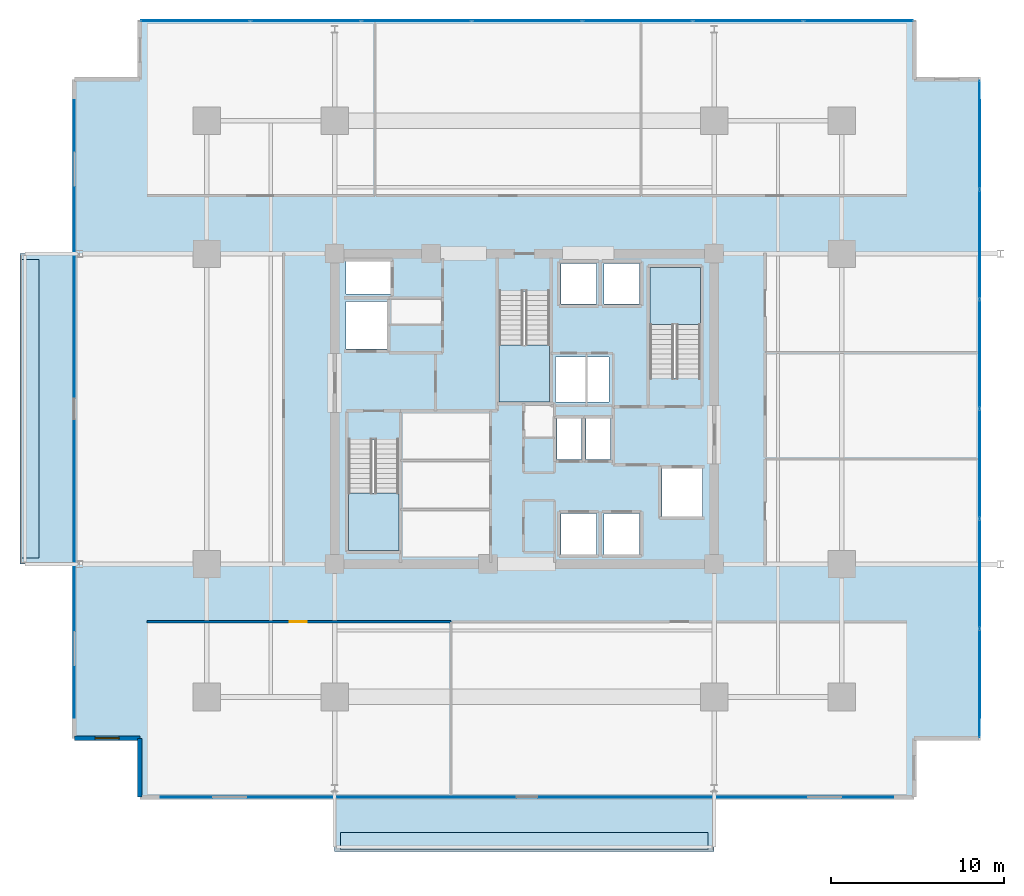
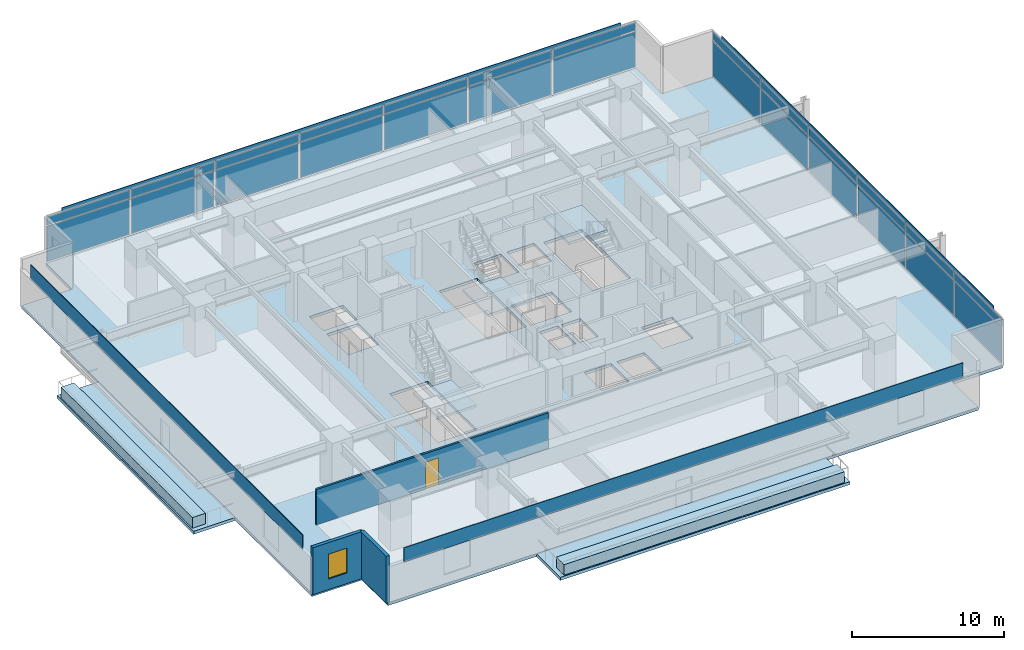
# One storey, part 13 of 23: 30 plates, 8 slabs, 3 walls, 1 door, 1 window, 2 openings, 5 elements without a shape of their own.
"""IFC4 building model written with IfcOpenShell, lengths in metres."""

from ifc_helpers import new_model, si_unit, direction, frame, frame_2d, origin, origin_2d, place, context, subcontext, project, spatial, polyline, rectangle, outline, extrude, material, layer, layer_set, type_object, element, fill, aggregate, save


model = new_model("IFC4")

# Units and contexts
model_context = context("Model", 3, precision=1e-05, world=origin(), true_north=direction((0.0, 1.0)))
body_context = subcontext(model_context, "Body", "Model", "MODEL_VIEW")
ifc_project = project(units=[si_unit("LENGTHUNIT", "METRE"), si_unit("AREAUNIT", "SQUARE_METRE"), si_unit("VOLUMEUNIT", "CUBIC_METRE"), si_unit("PLANEANGLEUNIT", "RADIAN"), si_unit("MASSUNIT", "GRAM", prefix="KILO")], contexts=[model_context])

# Site, building, storey
site_placement = place(None, origin())
site = spatial("IfcSite", under=ifc_project, at=site_placement, CompositionType="ELEMENT")
building_placement = place(site_placement, origin())
building = spatial("IfcBuilding", under=site, at=building_placement, Name="Kovane Verandah Tower", CompositionType="ELEMENT")
storey_placement = place(building_placement, frame((0.0, 0.0, 136.39990234375)))
storey = spatial("IfcBuildingStorey", under=building, at=storey_placement, Name="L31", CompositionType="ELEMENT", Elevation=136.39990234375)

# Curtain wall, plates
ifc_material_1 = material(Name="Champagne Anodised Aluminium Frame with Low-E Clear Laminated Glass", Category="aluminium")
curtain_wall_type = type_object("IfcCurtainWallType", Name="CW-SYS-03-MID", PredefinedType="NOTDEFINED", material=ifc_material_1)
curtain_wall_1_placement = place(storey_placement, origin())
curtain_wall_1 = element("IfcCurtainWall", 1, at=curtain_wall_1_placement, inside=storey, type_object=curtain_wall_type, Name="L31 E Unitised Curtain Wall", PredefinedType="NOTDEFINED")
ifc_material_2 = material(Name="Pale Champagne Anodised Aluminium Insulated Spandrel", Category="aluminium")
ifc_layer_1 = layer(ifc_material_2, 0.0400390625)
ifc_layer_set_1 = layer_set([ifc_layer_1], Name="Pale Champagne Anodised Aluminium Insulated Spandrel")
plate_type_1 = type_object("IfcPlateType", Name="PL-CW-SPD-40", PredefinedType="SHEET", material=ifc_layer_set_1)
plate_1_placement = place(storey_placement, frame((66.3896484375, 11.5830078125, 3.044921875), z_axis=(0.0, 0.0, 1.0), x_axis=(0.0, 1.0, 0.0)))
plate_1 = element("IfcPlate", 2, at=plate_1_placement, type_object=plate_type_1, Name="L31 E Unitised Curtain Wall Spandrel Panel 1", PredefinedType="SHEET", context=body_context, shape_type="SweptSolid", body=[
    extrude(rectangle(XDim=6.226806640625, YDim=0.0400390625, at=origin_2d()), origin(), (0.0, 0.0, 1.0), 0.639892578125),
])
plate_2_placement = place(storey_placement, frame((66.3896484375, 17.94970703125, 3.044921875), z_axis=(0.0, 0.0, 1.0), x_axis=(0.0, 1.0, 0.0)))
plate_2 = element("IfcPlate", 3, at=plate_2_placement, type_object=plate_type_1, Name="L31 E Unitised Curtain Wall Spandrel Panel 2", PredefinedType="SHEET", context=body_context, shape_type="SweptSolid", body=[
    extrude(rectangle(XDim=6.226806640625, YDim=0.0400390625, at=origin_2d()), origin(), (0.0, 0.0, 1.0), 0.639892578125),
])
plate_3_placement = place(storey_placement, frame((66.3896484375, 24.316650390625, 3.044921875), z_axis=(0.0, 0.0, 1.0), x_axis=(0.0, 1.0, 0.0)))
plate_3 = element("IfcPlate", 4, at=plate_3_placement, type_object=plate_type_1, Name="L31 E Unitised Curtain Wall Spandrel Panel 3", PredefinedType="SHEET", context=body_context, shape_type="SweptSolid", body=[
    extrude(rectangle(XDim=6.226806640625, YDim=0.0400390625, at=origin_2d()), origin(), (0.0, 0.0, 1.0), 0.639892578125),
])
plate_4_placement = place(storey_placement, frame((66.3896484375, 30.683349609375, 3.044921875), z_axis=(0.0, 0.0, 1.0), x_axis=(0.0, 1.0, 0.0)))
plate_4 = element("IfcPlate", 5, at=plate_4_placement, type_object=plate_type_1, Name="L31 E Unitised Curtain Wall Spandrel Panel 4", PredefinedType="SHEET", context=body_context, shape_type="SweptSolid", body=[
    extrude(rectangle(XDim=6.226806640625, YDim=0.0400390625, at=origin_2d()), origin(), (0.0, 0.0, 1.0), 0.639892578125),
])
plate_5_placement = place(storey_placement, frame((66.3896484375, 37.05029296875, 3.044921875), z_axis=(0.0, 0.0, 1.0), x_axis=(0.0, 1.0, 0.0)))
plate_5 = element("IfcPlate", 6, at=plate_5_placement, type_object=plate_type_1, Name="L31 E Unitised Curtain Wall Spandrel Panel 5", PredefinedType="SHEET", context=body_context, shape_type="SweptSolid", body=[
    extrude(rectangle(XDim=6.226806640625, YDim=0.0400390625, at=origin_2d()), origin(), (0.0, 0.0, 1.0), 0.639892578125),
])
plate_6_placement = place(storey_placement, frame((66.3896484375, 43.4169921875, 3.044921875), z_axis=(0.0, 0.0, 1.0), x_axis=(0.0, 1.0, 0.0)))
plate_6 = element("IfcPlate", 7, at=plate_6_placement, type_object=plate_type_1, Name="L31 E Unitised Curtain Wall Spandrel Panel 6", PredefinedType="SHEET", context=body_context, shape_type="SweptSolid", body=[
    extrude(rectangle(XDim=6.226806640625, YDim=0.0400390625, at=origin_2d()), origin(), (0.0, 0.0, 1.0), 0.639892578125),
])

curtain_wall_2_placement = place(storey_placement, origin())
curtain_wall_2 = element("IfcCurtainWall", 8, at=curtain_wall_2_placement, inside=storey, type_object=curtain_wall_type, Name="L31 N Unitised Curtain Wall", PredefinedType="NOTDEFINED")
plate_7_placement = place(storey_placement, frame((59.38427734375, 50.00048828125, 3.044921875), z_axis=(0.0, 0.0, 1.0), x_axis=(-1.0, 0.0, 0.0)))
plate_7 = element("IfcPlate", 9, at=plate_7_placement, type_object=plate_type_1, Name="L31 N Unitised Curtain Wall Spandrel Panel 1", PredefinedType="SHEET", context=body_context, shape_type="SweptSolid", body=[
    extrude(rectangle(XDim=6.27099609375, YDim=0.0400390625, at=origin_2d()), origin(), (0.0, 0.0, 1.0), 0.639892578125),
])
plate_8_placement = place(storey_placement, frame((52.973388671875, 50.00048828125, 3.044921875), z_axis=(0.0, 0.0, 1.0), x_axis=(-1.0, 0.0, 0.0)))
plate_8 = element("IfcPlate", 10, at=plate_8_placement, type_object=plate_type_1, Name="L31 N Unitised Curtain Wall Spandrel Panel 2", PredefinedType="SHEET", context=body_context, shape_type="SweptSolid", body=[
    extrude(rectangle(XDim=6.27099609375, YDim=0.0400390625, at=origin_2d()), origin(), (0.0, 0.0, 1.0), 0.639892578125),
])
plate_9_placement = place(storey_placement, frame((46.5625, 50.00048828125, 3.044921875), z_axis=(0.0, 0.0, 1.0), x_axis=(-1.0, 0.0, 0.0)))
plate_9 = element("IfcPlate", 11, at=plate_9_placement, type_object=plate_type_1, Name="L31 N Unitised Curtain Wall Spandrel Panel 3", PredefinedType="SHEET", context=body_context, shape_type="SweptSolid", body=[
    extrude(rectangle(XDim=6.27099609375, YDim=0.0400390625, at=origin_2d()), origin(), (0.0, 0.0, 1.0), 0.639892578125),
])
plate_10_placement = place(storey_placement, frame((40.151611328125, 50.00048828125, 3.044921875), z_axis=(0.0, 0.0, 1.0), x_axis=(-1.0, 0.0, 0.0)))
plate_10 = element("IfcPlate", 12, at=plate_10_placement, type_object=plate_type_1, Name="L31 N Unitised Curtain Wall Spandrel Panel 4", PredefinedType="SHEET", context=body_context, shape_type="SweptSolid", body=[
    extrude(rectangle(XDim=6.27099609375, YDim=0.0400390625, at=origin_2d()), origin(), (0.0, 0.0, 1.0), 0.639892578125),
])
plate_11_placement = place(storey_placement, frame((33.74072265625, 50.00048828125, 3.044921875), z_axis=(0.0, 0.0, 1.0), x_axis=(-1.0, 0.0, 0.0)))
plate_11 = element("IfcPlate", 13, at=plate_11_placement, type_object=plate_type_1, Name="L31 N Unitised Curtain Wall Spandrel Panel 5", PredefinedType="SHEET", context=body_context, shape_type="SweptSolid", body=[
    extrude(rectangle(XDim=6.27099609375, YDim=0.0400390625, at=origin_2d()), origin(), (0.0, 0.0, 1.0), 0.639892578125),
])
plate_12_placement = place(storey_placement, frame((27.329833984375, 50.00048828125, 3.044921875), z_axis=(0.0, 0.0, 1.0), x_axis=(-1.0, 0.0, 0.0)))
plate_12 = element("IfcPlate", 14, at=plate_12_placement, type_object=plate_type_1, Name="L31 N Unitised Curtain Wall Spandrel Panel 6", PredefinedType="SHEET", context=body_context, shape_type="SweptSolid", body=[
    extrude(rectangle(XDim=6.27099609375, YDim=0.0400390625, at=origin_2d()), origin(), (0.0, 0.0, 1.0), 0.639892578125),
])
plate_13_placement = place(storey_placement, frame((20.9189453125, 50.00048828125, 3.044921875), z_axis=(0.0, 0.0, 1.0), x_axis=(-1.0, 0.0, 0.0)))
plate_13 = element("IfcPlate", 15, at=plate_13_placement, type_object=plate_type_1, Name="L31 N Unitised Curtain Wall Spandrel Panel 7", PredefinedType="SHEET", context=body_context, shape_type="SweptSolid", body=[
    extrude(rectangle(XDim=6.27099609375, YDim=0.0400390625, at=origin_2d()), origin(), (0.0, 0.0, 1.0), 0.639892578125),
])

# Plate
ifc_material_3 = material(Name="Clear Low-E Laminated Double Glazing", Category="glass")
ifc_layer_2 = layer(ifc_material_3, 0.031982421875)
ifc_layer_set_2 = layer_set([ifc_layer_2], Name="Clear Low-E Laminated Double Glazing")
plate_type_2 = type_object("IfcPlateType", Name="PL-CW-VIS-32", PredefinedType="CURTAIN_PANEL", material=ifc_layer_set_2)
plate_14_placement = place(storey_placement, frame((66.3896484375, 11.5830078125, 0.10009765625), z_axis=(0.0, 0.0, 1.0), x_axis=(0.0, 1.0, 0.0)))
plate_14 = element("IfcPlate", 16, at=plate_14_placement, type_object=plate_type_2, Name="L31 E Unitised Curtain Wall Vision Panel 1", PredefinedType="CURTAIN_PANEL", context=body_context, shape_type="SweptSolid", body=[
    extrude(rectangle(XDim=6.226806640625, YDim=0.031982421875, at=origin_2d()), origin(), (0.0, 0.0, 1.0), 2.844970703125),
])

plate_15_placement = place(storey_placement, frame((66.3896484375, 17.94970703125, 0.10009765625), z_axis=(0.0, 0.0, 1.0), x_axis=(0.0, 1.0, 0.0)))
plate_15 = element("IfcPlate", 17, at=plate_15_placement, type_object=plate_type_2, Name="L31 E Unitised Curtain Wall Vision Panel 2", PredefinedType="CURTAIN_PANEL", context=body_context, shape_type="SweptSolid", body=[
    extrude(rectangle(XDim=6.226806640625, YDim=0.031982421875, at=origin_2d()), origin(), (0.0, 0.0, 1.0), 2.844970703125),
])

plate_16_placement = place(storey_placement, frame((66.3896484375, 24.316650390625, 0.10009765625), z_axis=(0.0, 0.0, 1.0), x_axis=(0.0, 1.0, 0.0)))
plate_16 = element("IfcPlate", 18, at=plate_16_placement, type_object=plate_type_2, Name="L31 E Unitised Curtain Wall Vision Panel 3", PredefinedType="CURTAIN_PANEL", context=body_context, shape_type="SweptSolid", body=[
    extrude(rectangle(XDim=6.226806640625, YDim=0.031982421875, at=origin_2d()), origin(), (0.0, 0.0, 1.0), 2.844970703125),
])

plate_17_placement = place(storey_placement, frame((66.3896484375, 30.683349609375, 0.10009765625), z_axis=(0.0, 0.0, 1.0), x_axis=(0.0, 1.0, 0.0)))
plate_17 = element("IfcPlate", 19, at=plate_17_placement, type_object=plate_type_2, Name="L31 E Unitised Curtain Wall Vision Panel 4", PredefinedType="CURTAIN_PANEL", context=body_context, shape_type="SweptSolid", body=[
    extrude(rectangle(XDim=6.226806640625, YDim=0.031982421875, at=origin_2d()), origin(), (0.0, 0.0, 1.0), 2.844970703125),
])

plate_18_placement = place(storey_placement, frame((66.3896484375, 37.05029296875, 0.10009765625), z_axis=(0.0, 0.0, 1.0), x_axis=(0.0, 1.0, 0.0)))
plate_18 = element("IfcPlate", 20, at=plate_18_placement, type_object=plate_type_2, Name="L31 E Unitised Curtain Wall Vision Panel 5", PredefinedType="CURTAIN_PANEL", context=body_context, shape_type="SweptSolid", body=[
    extrude(rectangle(XDim=6.226806640625, YDim=0.031982421875, at=origin_2d()), origin(), (0.0, 0.0, 1.0), 2.844970703125),
])

plate_19_placement = place(storey_placement, frame((66.3896484375, 43.4169921875, 0.10009765625), z_axis=(0.0, 0.0, 1.0), x_axis=(0.0, 1.0, 0.0)))
plate_19 = element("IfcPlate", 21, at=plate_19_placement, type_object=plate_type_2, Name="L31 E Unitised Curtain Wall Vision Panel 6", PredefinedType="CURTAIN_PANEL", context=body_context, shape_type="SweptSolid", body=[
    extrude(rectangle(XDim=6.226806640625, YDim=0.031982421875, at=origin_2d()), origin(), (0.0, 0.0, 1.0), 2.844970703125),
])

aggregate(curtain_wall_1, [plate_14, plate_1, plate_15, plate_2, plate_16, plate_3, plate_17, plate_4, plate_18, plate_5, plate_19, plate_6])

plate_20_placement = place(storey_placement, frame((59.38427734375, 50.00048828125, 0.10009765625), z_axis=(0.0, 0.0, 1.0), x_axis=(-1.0, 0.0, 0.0)))
plate_20 = element("IfcPlate", 22, at=plate_20_placement, type_object=plate_type_2, Name="L31 N Unitised Curtain Wall Vision Panel 1", PredefinedType="CURTAIN_PANEL", context=body_context, shape_type="SweptSolid", body=[
    extrude(rectangle(XDim=6.27099609375, YDim=0.031982421875, at=origin_2d()), origin(), (0.0, 0.0, 1.0), 2.844970703125),
])

plate_21_placement = place(storey_placement, frame((52.973388671875, 50.00048828125, 0.10009765625), z_axis=(0.0, 0.0, 1.0), x_axis=(-1.0, 0.0, 0.0)))
plate_21 = element("IfcPlate", 23, at=plate_21_placement, type_object=plate_type_2, Name="L31 N Unitised Curtain Wall Vision Panel 2", PredefinedType="CURTAIN_PANEL", context=body_context, shape_type="SweptSolid", body=[
    extrude(rectangle(XDim=6.27099609375, YDim=0.031982421875, at=origin_2d()), origin(), (0.0, 0.0, 1.0), 2.844970703125),
])

plate_22_placement = place(storey_placement, frame((46.5625, 50.00048828125, 0.10009765625), z_axis=(0.0, 0.0, 1.0), x_axis=(-1.0, 0.0, 0.0)))
plate_22 = element("IfcPlate", 24, at=plate_22_placement, type_object=plate_type_2, Name="L31 N Unitised Curtain Wall Vision Panel 3", PredefinedType="CURTAIN_PANEL", context=body_context, shape_type="SweptSolid", body=[
    extrude(rectangle(XDim=6.27099609375, YDim=0.031982421875, at=origin_2d()), origin(), (0.0, 0.0, 1.0), 2.844970703125),
])

plate_23_placement = place(storey_placement, frame((40.151611328125, 50.00048828125, 0.10009765625), z_axis=(0.0, 0.0, 1.0), x_axis=(-1.0, 0.0, 0.0)))
plate_23 = element("IfcPlate", 25, at=plate_23_placement, type_object=plate_type_2, Name="L31 N Unitised Curtain Wall Vision Panel 4", PredefinedType="CURTAIN_PANEL", context=body_context, shape_type="SweptSolid", body=[
    extrude(rectangle(XDim=6.27099609375, YDim=0.031982421875, at=origin_2d()), origin(), (0.0, 0.0, 1.0), 2.844970703125),
])

plate_24_placement = place(storey_placement, frame((33.74072265625, 50.00048828125, 0.10009765625), z_axis=(0.0, 0.0, 1.0), x_axis=(-1.0, 0.0, 0.0)))
plate_24 = element("IfcPlate", 26, at=plate_24_placement, type_object=plate_type_2, Name="L31 N Unitised Curtain Wall Vision Panel 5", PredefinedType="CURTAIN_PANEL", context=body_context, shape_type="SweptSolid", body=[
    extrude(rectangle(XDim=6.27099609375, YDim=0.031982421875, at=origin_2d()), origin(), (0.0, 0.0, 1.0), 2.844970703125),
])

plate_25_placement = place(storey_placement, frame((27.329833984375, 50.00048828125, 0.10009765625), z_axis=(0.0, 0.0, 1.0), x_axis=(-1.0, 0.0, 0.0)))
plate_25 = element("IfcPlate", 27, at=plate_25_placement, type_object=plate_type_2, Name="L31 N Unitised Curtain Wall Vision Panel 6", PredefinedType="CURTAIN_PANEL", context=body_context, shape_type="SweptSolid", body=[
    extrude(rectangle(XDim=6.27099609375, YDim=0.031982421875, at=origin_2d()), origin(), (0.0, 0.0, 1.0), 2.844970703125),
])

plate_26_placement = place(storey_placement, frame((20.9189453125, 50.00048828125, 0.10009765625), z_axis=(0.0, 0.0, 1.0), x_axis=(-1.0, 0.0, 0.0)))
plate_26 = element("IfcPlate", 28, at=plate_26_placement, type_object=plate_type_2, Name="L31 N Unitised Curtain Wall Vision Panel 7", PredefinedType="CURTAIN_PANEL", context=body_context, shape_type="SweptSolid", body=[
    extrude(rectangle(XDim=6.27099609375, YDim=0.031982421875, at=origin_2d()), origin(), (0.0, 0.0, 1.0), 2.844970703125),
])

aggregate(curtain_wall_2, [plate_20, plate_7, plate_21, plate_8, plate_22, plate_9, plate_23, plate_10, plate_24, plate_11, plate_25, plate_12, plate_26, plate_13])

# Plates
ifc_material_4 = material(Name="Perforated Pale Champagne Anodised Aluminium Solar Screen", Category="aluminium")
ifc_layer_3 = layer(ifc_material_4, 0.050048828125)
ifc_layer_set_3 = layer_set([ifc_layer_3], Name="Perforated Pale Champagne Anodised Aluminium Solar Screen")
plate_type_3 = type_object("IfcPlateType", Name="PL-SCREEN-50", PredefinedType="USERDEFINED", material=ifc_layer_set_3)
plate_27_placement = place(storey_placement, frame((40.151611328125, 4.984619140625, 2.875244140625), z_axis=(0.0, 0.0, 1.0), x_axis=(1.0, 0.0, 0.0)))
element("IfcPlate", 29, at=plate_27_placement, inside=storey, type_object=plate_type_3, Name="L31 S Perforated Champagne-Gold Solar Screen", ObjectType="SCREEN", PredefinedType="USERDEFINED", context=body_context, shape_type="SweptSolid", body=[
    extrude(rectangle(XDim=42.47607421875, YDim=0.050048828125, at=origin_2d()), origin(), (0.0, 0.0, 1.0), 1.14990234375),
])
plate_28_placement = place(storey_placement, frame((66.40478515625, 27.5, 2.875244140625), z_axis=(0.0, 0.0, 1.0), x_axis=(0.0, 1.0, 0.0)))
element("IfcPlate", 30, at=plate_28_placement, inside=storey, type_object=plate_type_3, Name="L31 E Perforated Champagne-Gold Solar Screen", ObjectType="SCREEN", PredefinedType="USERDEFINED", context=body_context, shape_type="SweptSolid", body=[
    extrude(rectangle(XDim=35.801025390625, YDim=0.050048828125, at=origin_2d()), origin(), (0.0, 0.0, 1.0), 1.14990234375),
])
plate_29_placement = place(storey_placement, frame((40.151611328125, 50.015380859375, 2.875244140625), z_axis=(0.0, 0.0, 1.0), x_axis=(-1.0, 0.0, 0.0)))
element("IfcPlate", 31, at=plate_29_placement, inside=storey, type_object=plate_type_3, Name="L31 N Perforated Champagne-Gold Solar Screen", ObjectType="SCREEN", PredefinedType="USERDEFINED", context=body_context, shape_type="SweptSolid", body=[
    extrude(rectangle(XDim=42.47607421875, YDim=0.050048828125, at=origin_2d()), origin(), (0.0, 0.0, 1.0), 1.14990234375),
])
plate_30_placement = place(storey_placement, frame((13.898681640625, 27.5, 2.875244140625), z_axis=(0.0, 0.0, 1.0), x_axis=(0.0, -1.0, 0.0)))
element("IfcPlate", 32, at=plate_30_placement, inside=storey, type_object=plate_type_3, Name="L31 W Perforated Champagne-Gold Solar Screen", ObjectType="SCREEN", PredefinedType="USERDEFINED", context=body_context, shape_type="SweptSolid", body=[
    extrude(rectangle(XDim=35.801025390625, YDim=0.050048828125, at=origin_2d()), origin(), (0.0, 0.0, 1.0), 1.14990234375),
])

# Slabs
ifc_material_5 = material(Name="Concrete C45/55", Category="concrete")
ifc_layer_4 = layer(ifc_material_5, 0.239990234375)
ifc_layer_set_4 = layer_set([ifc_layer_4], Name="Concrete C45/55")
slab_type_1 = type_object("IfcSlabType", Name="SL-BALC-240", PredefinedType="FLOOR", material=ifc_layer_set_4)
slab_1_placement = place(storey_placement, frame((0.0, 0.0, -0.239990234375)))
element("IfcSlab", 33, at=slab_1_placement, inside=storey, type_object=slab_type_1, Name="L31 S Planted Verandah Balcony Slab", PredefinedType="FLOOR", context=body_context, shape_type="SweptSolid", body=[
    extrude(outline(polyline([(29.0, 1.849609375), (51.0, 1.849609375), (51.0, 4.99951171875), (29.0, 4.99951171875), (29.0, 1.849609375)])), origin(), (0.0, 0.0, 1.0), 0.239990234375),
])
slab_2_placement = place(storey_placement, frame((0.0, 0.0, -0.239990234375)))
element("IfcSlab", 34, at=slab_2_placement, inside=storey, type_object=slab_type_1, Name="L31 W Planted Verandah Balcony Slab", PredefinedType="FLOOR", context=body_context, shape_type="SweptSolid", body=[
    extrude(outline(polyline([(10.763671875, 18.5), (13.91357421875, 18.5), (13.91357421875, 36.5), (10.763671875, 36.5), (10.763671875, 18.5)])), origin(), (0.0, 0.0, 1.0), 0.239990234375),
])

# Stair, slab
stair_type = type_object("IfcStairType", Name="ST-CORE-1380", PredefinedType="HALF_TURN_STAIR", material=ifc_material_5)
stair_1_placement = place(storey_placement, origin())
stair_1 = element("IfcStair", 35, at=stair_1_placement, inside=storey, type_object=stair_type, Name="L31 Exit Stair ST-01", PredefinedType="HALF_TURN_STAIR")
ifc_layer_5 = layer(ifc_material_5, 0.199951171875)
ifc_layer_set_5 = layer_set([ifc_layer_5], Name="Concrete C45/55")
slab_type_2 = type_object("IfcSlabType", Name="SL-LAND-200", PredefinedType="LANDING", material=ifc_layer_set_5)
slab_3_placement = place(storey_placement, frame((0.0, 0.0, 1.800048828125)))
slab_3 = element("IfcSlab", 36, at=slab_3_placement, type_object=slab_type_2, Name="ST-01 landing 1", PredefinedType="LANDING", context=body_context, shape_type="SweptSolid", body=[
    extrude(outline(polyline([(29.800048828125, 22.614990234375), (29.800048828125, 19.300048828125), (32.719970703125, 19.300048828125), (32.719970703125, 22.614990234375), (29.800048828125, 22.614990234375)])), origin(), (0.0, 0.0, 1.0), 0.199951171875),
])
aggregate(stair_1, [slab_3])

stair_2_placement = place(storey_placement, origin())
stair_2 = element("IfcStair", 37, at=stair_2_placement, inside=storey, type_object=stair_type, Name="L31 Exit Stair ST-02", PredefinedType="HALF_TURN_STAIR")
slab_4_placement = place(storey_placement, frame((0.0, 0.0, 1.800048828125)))
slab_4 = element("IfcSlab", 38, at=slab_4_placement, type_object=slab_type_2, Name="ST-02 landing 1", PredefinedType="LANDING", context=body_context, shape_type="SweptSolid", body=[
    extrude(outline(polyline([(50.199951171875, 32.385009765625), (50.199951171875, 35.699951171875), (47.280029296875, 35.699951171875), (47.280029296875, 32.385009765625), (50.199951171875, 32.385009765625)])), origin(), (0.0, 0.0, 1.0), 0.199951171875),
])
aggregate(stair_2, [slab_4])

stair_3_placement = place(storey_placement, origin())
stair_3 = element("IfcStair", 39, at=stair_3_placement, inside=storey, type_object=stair_type, Name="L31 Exit Stair ST-03", PredefinedType="HALF_TURN_STAIR")
slab_5_placement = place(storey_placement, frame((0.0, 0.0, 1.800048828125)))
slab_5 = element("IfcSlab", 40, at=slab_5_placement, type_object=slab_type_2, Name="ST-03 landing 1", PredefinedType="LANDING", context=body_context, shape_type="SweptSolid", body=[
    extrude(outline(polyline([(38.5400390625, 31.215087890625), (38.5400390625, 27.89990234375), (41.4599609375, 27.89990234375), (41.4599609375, 31.215087890625), (38.5400390625, 31.215087890625)])), origin(), (0.0, 0.0, 1.0), 0.199951171875),
])
aggregate(stair_3, [slab_5])

# Slabs
ifc_layer_6 = layer(ifc_material_5, 0.22509765625)
ifc_layer_set_6 = layer_set([ifc_layer_6], Name="Concrete C45/55")
slab_type_3 = type_object("IfcSlabType", Name="SL-MID-225", PredefinedType="FLOOR", material=ifc_layer_set_6)
slab_6_placement = place(storey_placement, frame((0.0, 0.0, -0.224853515625)))
element("IfcSlab", 41, at=slab_6_placement, inside=storey, type_object=slab_type_3, Name="L31 Structural Floor Slab", PredefinedType="FLOOR", context=body_context, shape_type="SweptSolid", body=[
    extrude(outline(polyline([(17.713623046875, 4.99951171875), (62.589599609375, 4.99951171875), (62.589599609375, 8.3994140625), (66.3896484375, 8.3994140625), (66.3896484375, 46.6005859375), (62.589599609375, 46.6005859375), (62.589599609375, 50.00048828125), (17.713623046875, 50.00048828125), (17.713623046875, 46.6005859375), (13.91357421875, 46.6005859375), (13.91357421875, 8.3994140625), (17.713623046875, 8.3994140625), (17.713623046875, 4.99951171875)]), holes=[polyline([(29.800048828125, 19.300048828125), (32.719970703125, 19.300048828125), (32.719970703125, 25.705078125), (29.800048828125, 25.705078125), (29.800048828125, 19.300048828125)]), polyline([(47.280029296875, 29.294921875), (50.199951171875, 29.294921875), (50.199951171875, 35.699951171875), (47.280029296875, 35.699951171875), (47.280029296875, 29.294921875)]), polyline([(38.5400390625, 27.89990234375), (41.4599609375, 27.89990234375), (41.4599609375, 34.304931640625), (38.5400390625, 34.304931640625), (38.5400390625, 27.89990234375)]), polyline([(29.669921875, 30.969970703125), (32.030029296875, 30.969970703125), (32.030029296875, 33.72998046875), (29.669921875, 33.72998046875), (29.669921875, 30.969970703125)]), polyline([(47.969970703125, 21.27001953125), (50.330078125, 21.27001953125), (50.330078125, 24.030029296875), (47.969970703125, 24.030029296875), (47.969970703125, 21.27001953125)]), polyline([(29.669921875, 34.169921875), (32.22998046875, 34.169921875), (32.22998046875, 36.030029296875), (29.669921875, 36.030029296875), (29.669921875, 34.169921875)]), polyline([(42.1201171875, 19.070068359375), (44.179931640625, 19.070068359375), (44.179931640625, 21.429931640625), (42.1201171875, 21.429931640625), (42.1201171875, 19.070068359375)]), polyline([(44.6201171875, 19.070068359375), (46.679931640625, 19.070068359375), (46.679931640625, 21.429931640625), (44.6201171875, 21.429931640625), (44.6201171875, 19.070068359375)]), polyline([(41.8798828125, 24.570068359375), (43.320068359375, 24.570068359375), (43.320068359375, 26.929931640625), (41.8798828125, 26.929931640625), (41.8798828125, 24.570068359375)]), polyline([(43.580078125, 24.570068359375), (45.0, 24.570068359375), (45.0, 26.929931640625), (43.580078125, 26.929931640625), (43.580078125, 24.570068359375)]), polyline([(42.1201171875, 33.570068359375), (44.179931640625, 33.570068359375), (44.179931640625, 35.929931640625), (42.1201171875, 35.929931640625), (42.1201171875, 33.570068359375)]), polyline([(44.6201171875, 33.570068359375), (46.679931640625, 33.570068359375), (46.679931640625, 35.929931640625), (44.6201171875, 35.929931640625), (44.6201171875, 33.570068359375)]), polyline([(41.800048828125, 27.89990234375), (44.89990234375, 27.89990234375), (44.89990234375, 30.5), (41.800048828125, 30.5), (41.800048828125, 27.89990234375)])]), origin(), (0.0, 0.0, 1.0), 0.224853515625),
])
ifc_material_6 = material(Name="Architectural Precast Concrete C45/55 Planter Trough", Category="concrete")
ifc_layer_7 = layer(ifc_material_6, 0.219970703125)
ifc_layer_set_7 = layer_set([ifc_layer_7], Name="Architectural Precast Concrete C45/55 Planter Trough")
slab_type_4 = type_object("IfcSlabType", Name="SL-PLANTER-220", PredefinedType="USERDEFINED", material=ifc_layer_set_7)
slab_7_placement = place(storey_placement, origin())
element("IfcSlab", 42, at=slab_7_placement, inside=storey, type_object=slab_type_4, Name="L31 S Structural Tree Planter", ObjectType="PLANTER", PredefinedType="USERDEFINED", context=body_context, shape_type="SweptSolid", body=[
    extrude(outline(polyline([(29.35009765625, 1.949462890625), (50.64990234375, 1.949462890625), (50.64990234375, 2.949462890625), (29.35009765625, 2.949462890625), (29.35009765625, 1.949462890625)])), origin(), (0.0, 0.0, 1.0), 0.85009765625),
])
slab_8_placement = place(storey_placement, origin())
element("IfcSlab", 43, at=slab_8_placement, inside=storey, type_object=slab_type_4, Name="L31 W Structural Tree Planter", ObjectType="PLANTER", PredefinedType="USERDEFINED", context=body_context, shape_type="SweptSolid", body=[
    extrude(outline(polyline([(10.863525390625, 18.85009765625), (11.863525390625, 18.85009765625), (11.863525390625, 36.14990234375), (10.863525390625, 36.14990234375), (10.863525390625, 18.85009765625)])), origin(), (0.0, 0.0, 1.0), 0.85009765625),
])

# Wall, opening, door
ifc_material_7 = material(Name="Fire-Rated Gypsum Stud Partition", Category="gypsum")
ifc_layer_8 = layer(ifc_material_7, 0.14990234375)
ifc_layer_set_8 = layer_set([ifc_layer_8], Name="Fire-Rated Gypsum Stud Partition")
wall_type_1 = type_object("IfcWallType", Name="WL-COR-150", PredefinedType="PARTITIONING", material=ifc_layer_set_8)
wall_1_placement = place(storey_placement, frame((18.113525390625, 15.14990234375, 0.0), z_axis=(0.0, 0.0, 1.0), x_axis=(1.0, 0.0, 0.0)))
wall_1 = element("IfcWall", 44, at=wall_1_placement, inside=storey, type_object=wall_type_1, Name="L31 Breakout Pantry S1 Corridor Partition", PredefinedType="PARTITIONING", context=body_context, shape_type="SweptSolid", body=[
    extrude(rectangle(XDim=17.63037109375, YDim=0.14990234375, at=frame_2d((8.815185546875, 0.0))), origin(), (0.0, 0.0, 1.0), 2.85009765625),
])
opening_1_placement = place(wall_1_placement, frame((8.2802734375, 0.0, 0.0)))
opening_1 = element("IfcOpeningElement", 45, at=opening_1_placement, cuts=wall_1, Name="Opening DR-L31-024", PredefinedType="OPENING", context=body_context, shape_type="SweptSolid", body=[
    extrude(rectangle(XDim=1.0, YDim=2.14990234375, at=frame_2d((0.5, 1.074951171875))), frame((0.0, 0.074951171875, 0.0), z_axis=(0.0, -1.0, 0.0), x_axis=(1.0, 0.0, 0.0)), (0.0, 0.0, 1.0), 0.14990234375),
])
ifc_material_8 = material(Name="FSC Spotted-Gum Timber Fire-Rated Office Door", Category="wood")
door_type = type_object("IfcDoorType", Name="DR-OFF-1000", OperationType="SINGLE_SWING_LEFT", PredefinedType="DOOR", material=ifc_material_8)
door_placement = place(opening_1_placement, origin())
door = element("IfcDoor", 46, at=door_placement, inside=storey, type_object=door_type, Name="L31 Breakout Pantry S1 Entrance Door", OperationType="SINGLE_SWING_LEFT", OverallHeight=2.14990234375, OverallWidth=1.0, PredefinedType="DOOR", context=body_context, shape_type="SweptSolid", body=[
    extrude(rectangle(XDim=1.0, YDim=2.14990234375, at=frame_2d((0.5, 1.074951171875))), frame((0.0, 0.02490234375, 0.0), z_axis=(0.0, -1.0, 0.0), x_axis=(1.0, 0.0, 0.0)), (0.0, 0.0, 1.0), 0.050048828125),
])
fill(opening_1, door)

# Wall, opening, window
ifc_material_9 = material(Name="Concrete C45/55 Insulated Spandrel Wall", Category="concrete")
ifc_layer_9 = layer(ifc_material_9, 0.260009765625)
ifc_layer_set_9 = layer_set([ifc_layer_9], Name="Concrete C45/55 Insulated Spandrel Wall")
wall_type_2 = type_object("IfcWallType", Name="WL-SPANDREL-260", PredefinedType="PARAPET", material=ifc_layer_set_9)
wall_2_placement = place(storey_placement, frame((13.91357421875, 8.3994140625, 0.0), z_axis=(0.0, 0.0, 1.0), x_axis=(1.0, 0.0, 0.0)))
wall_2 = element("IfcWall", 47, at=wall_2_placement, inside=storey, type_object=wall_type_2, Name="L31 SW Notch Cheek Wall 1", PredefinedType="PARAPET", context=body_context, shape_type="SweptSolid", body=[
    extrude(rectangle(XDim=3.800048828125, YDim=0.260009765625, at=frame_2d((1.89990234375, 0.0))), origin(), (0.0, 0.0, 1.0), 3.775146484375),
])
opening_2_placement = place(wall_2_placement, frame((1.199951171875, 0.0, 0.85009765625)))
opening_2 = element("IfcOpeningElement", 48, at=opening_2_placement, cuts=wall_2, Name="Opening W-01", PredefinedType="OPENING", context=body_context, shape_type="SweptSolid", body=[
    extrude(rectangle(XDim=1.39990234375, YDim=2.0, at=frame_2d((0.699951171875, 1.0))), frame((0.0, 0.1298828125, 0.0), z_axis=(0.0, -1.0, 0.0), x_axis=(1.0, 0.0, 0.0)), (0.0, 0.0, 1.0), 0.260009765625),
])
ifc_material_10 = material(Name="Clear Low-E Laminated Double Glazing in Anodised Frame", Category="glass")
window_type = type_object("IfcWindowType", Name="WN-OPER-1400x2000", PartitioningType="SINGLE_PANEL", PredefinedType="WINDOW", material=ifc_material_10)
window_placement = place(opening_2_placement, origin())
window = element("IfcWindow", 49, at=window_placement, inside=storey, type_object=window_type, Name="L31 SW Re-Entrant Corner Operable Window", OverallHeight=2.0, OverallWidth=1.39990234375, PartitioningType="SINGLE_PANEL", PredefinedType="WINDOW", context=body_context, shape_type="SweptSolid", body=[
    extrude(rectangle(XDim=1.39990234375, YDim=2.0, at=frame_2d((0.699951171875, 1.0))), frame((0.0, 0.030029296875, 0.0), z_axis=(0.0, -1.0, 0.0), x_axis=(1.0, 0.0, 0.0)), (0.0, 0.0, 1.0), 0.06005859375),
])
fill(opening_2, window)

# Wall
wall_3_placement = place(storey_placement, frame((17.713623046875, 8.3994140625, 0.0), z_axis=(0.0, 0.0, 1.0), x_axis=(0.0, -1.0, 0.0)))
element("IfcWall", 50, at=wall_3_placement, inside=storey, type_object=wall_type_2, Name="L31 SW Notch Cheek Wall 2", PredefinedType="PARAPET", context=body_context, shape_type="SweptSolid", body=[
    extrude(rectangle(XDim=3.39990234375, YDim=0.260009765625, at=frame_2d((1.699951171875, 0.0))), origin(), (0.0, 0.0, 1.0), 3.775146484375),
])

save(model, "model.ifc")
